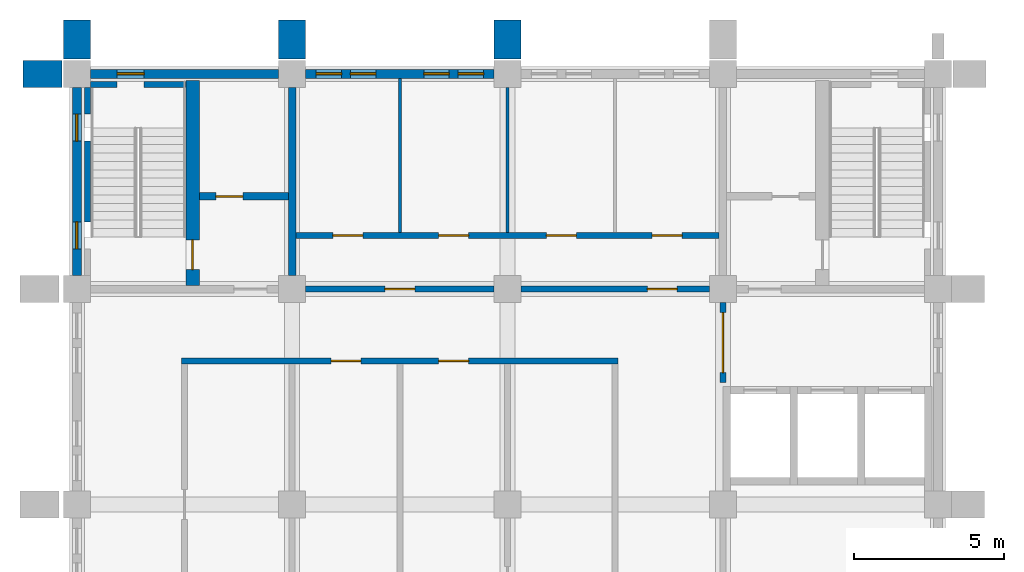
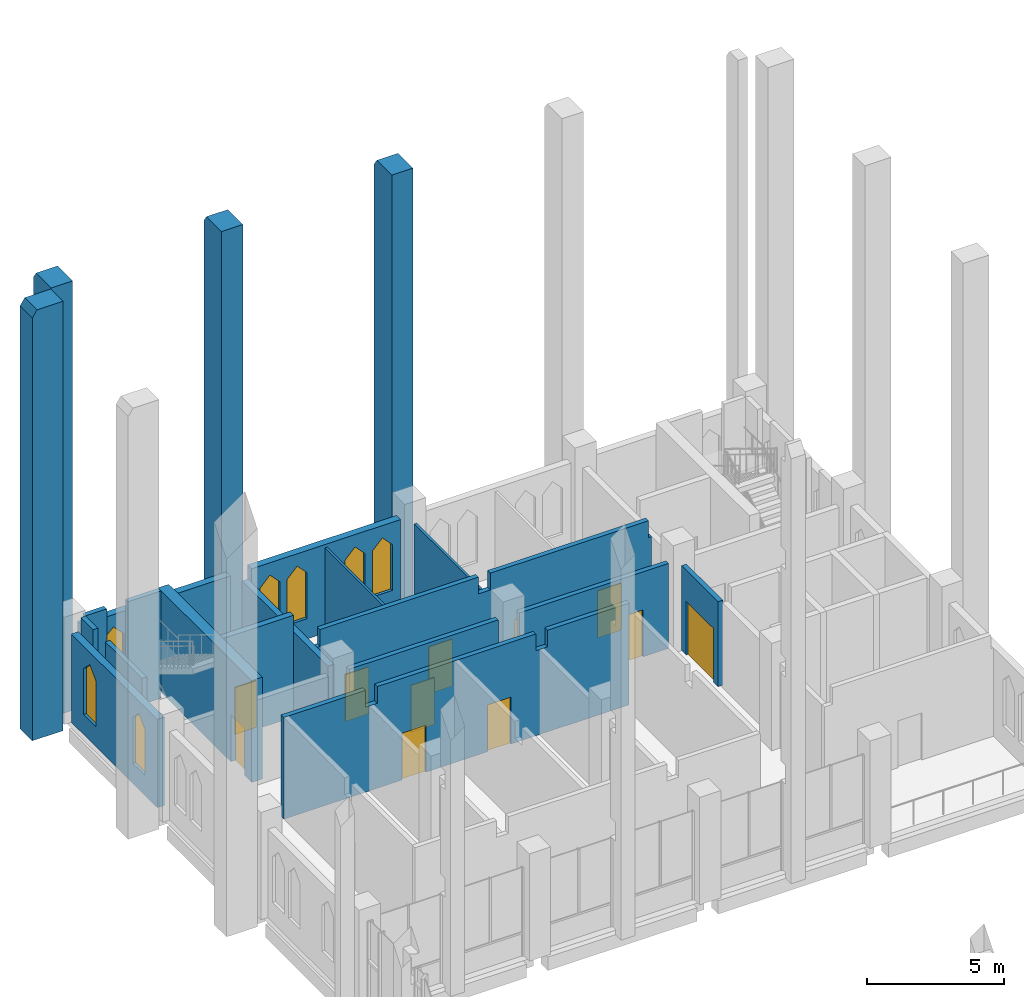
# One storey, part 32 of 40: 21 walls, 11 doors, 7 windows, 18 openings.
"""IFC4 building model written with IfcOpenShell, lengths in metres."""

from ifc_helpers import new_model, si_unit, direction, frame, frame_2d, origin, place, context, subcontext, project, spatial, polyline, rectangle, outline, extrude, material, layer, layer_set, type_object, element, fill, save


model = new_model("IFC4")

# Units and contexts
model_context = context("Model", 3, precision=1e-05, world=origin(), true_north=direction((0.0, 1.0)))
body_context = subcontext(model_context, "Body", "Model", "MODEL_VIEW")
ifc_project = project(units=[si_unit("LENGTHUNIT", "METRE"), si_unit("AREAUNIT", "SQUARE_METRE"), si_unit("VOLUMEUNIT", "CUBIC_METRE"), si_unit("PLANEANGLEUNIT", "RADIAN"), si_unit("MASSUNIT", "GRAM", prefix="KILO")], contexts=[model_context])

# Site, building, storey
site_placement = place(None, origin())
site = spatial("IfcSite", under=ifc_project, at=site_placement, CompositionType="ELEMENT")
building_placement = place(site_placement, origin())
building = spatial("IfcBuilding", under=site, at=building_placement, Name="Silangan Lancet Faculty of Sciences", CompositionType="ELEMENT")
storey_placement = place(building_placement, frame((0.0, 0.0, 21.60009765625)))
storey = spatial("IfcBuildingStorey", under=building, at=storey_placement, Name="L04", CompositionType="ELEMENT", Elevation=21.60009765625)

# Wall, openings, windows
ifc_material_1 = material(Name="Concrete C40/50 precast", Category="concrete")
ifc_layer_1 = layer(ifc_material_1, 0.300048828125)
ifc_layer_set_1 = layer_set([ifc_layer_1], Name="Concrete C40/50 precast")
wall_type_1 = type_object("IfcWallType", Name="EW1 Precast cladding wall", PredefinedType="STANDARD", material=ifc_layer_set_1)
wall_1_placement = place(storey_placement, frame((13.949951171875, 57.60009765625, 0.0), z_axis=(0.0, 0.0, 1.0), x_axis=(-1.0, 0.0, 0.0)))
wall_1 = element("IfcWall", 1, at=wall_1_placement, inside=storey, type_object=wall_type_1, Name="EW-L04-N-NT-02", PredefinedType="STANDARD", context=body_context, shape_type="SweptSolid", body=[
    extrude(rectangle(XDim=6.300048828125, YDim=0.300048828125, at=frame_2d((3.14990234375, 0.0))), origin(), (0.0, 0.0, 1.0), 3.949951171875),
])
opening_1_placement = place(wall_1_placement, frame((0.35009765625, 0.0, 0.89990234375)))
opening_1 = element("IfcOpeningElement", 2, at=opening_1_placement, cuts=wall_1, Name="Opening W14", PredefinedType="OPENING", context=body_context, shape_type="SweptSolid", body=[
    extrude(outline(polyline([(0.0, 0.0), (0.85009765625, 0.0), (0.85009765625, 2.050048828125), (0.425048828125, 2.5), (0.0, 2.050048828125), (0.0, 0.0)])), frame((0.0, 0.159912109375, 0.0), z_axis=(0.0, -1.0, 0.0), x_axis=(1.0, 0.0, 0.0)), (0.0, 0.0, 1.0), 0.320068359375),
])
opening_2_placement = place(wall_1_placement, frame((1.5, 0.0, 0.89990234375)))
opening_2 = element("IfcOpeningElement", 3, at=opening_2_placement, cuts=wall_1, Name="Opening W14", PredefinedType="OPENING", context=body_context, shape_type="SweptSolid", body=[
    extrude(outline(polyline([(0.0, 0.0), (0.85009765625, 0.0), (0.85009765625, 2.050048828125), (0.425048828125, 2.5), (0.0, 2.050048828125), (0.0, 0.0)])), frame((0.0, 0.159912109375, 0.0), z_axis=(0.0, -1.0, 0.0), x_axis=(1.0, 0.0, 0.0)), (0.0, 0.0, 1.0), 0.320068359375),
])
opening_3_placement = place(wall_1_placement, frame((3.949951171875, 0.0, 0.89990234375)))
opening_3 = element("IfcOpeningElement", 4, at=opening_3_placement, cuts=wall_1, Name="Opening W14", PredefinedType="OPENING", context=body_context, shape_type="SweptSolid", body=[
    extrude(outline(polyline([(0.0, 0.0), (0.85009765625, 0.0), (0.85009765625, 2.050048828125), (0.425048828125, 2.5), (0.0, 2.050048828125), (0.0, 0.0)])), frame((0.0, 0.159912109375, 0.0), z_axis=(0.0, -1.0, 0.0), x_axis=(1.0, 0.0, 0.0)), (0.0, 0.0, 1.0), 0.320068359375),
])
opening_4_placement = place(wall_1_placement, frame((5.10009765625, 0.0, 0.89990234375)))
opening_4 = element("IfcOpeningElement", 5, at=opening_4_placement, cuts=wall_1, Name="Opening W14", PredefinedType="OPENING", context=body_context, shape_type="SweptSolid", body=[
    extrude(outline(polyline([(0.0, 0.0), (0.85009765625, 0.0), (0.85009765625, 2.050048828125), (0.425048828125, 2.5), (0.0, 2.050048828125), (0.0, 0.0)])), frame((0.0, 0.159912109375, 0.0), z_axis=(0.0, -1.0, 0.0), x_axis=(1.0, 0.0, 0.0)), (0.0, 0.0, 1.0), 0.320068359375),
])
ifc_material_2 = material(Name="Aluminium frame, laminated double glazing", Category="aluminium")
window_type_1 = type_object("IfcWindowType", Name="W14 Lancet window 850 x 2500", PartitioningType="SINGLE_PANEL", PredefinedType="WINDOW", material=ifc_material_2)
window_1_placement = place(opening_1_placement, origin())
window_1 = element("IfcWindow", 6, at=window_1_placement, inside=storey, type_object=window_type_1, Name="WIN-L04-N-NT-02a1", OverallHeight=2.5, OverallWidth=0.85009765625, PartitioningType="SINGLE_PANEL", PredefinedType="WINDOW", context=body_context, shape_type="SweptSolid", body=[
    extrude(outline(polyline([(0.0, 0.0), (0.85009765625, 0.0), (0.85009765625, 2.050048828125), (0.425048828125, 2.5), (0.0, 2.050048828125), (0.0, 0.0)])), frame((0.0, 0.030029296875, 0.0), z_axis=(0.0, -1.0, 0.0), x_axis=(1.0, 0.0, 0.0)), (0.0, 0.0, 1.0), 0.06005859375),
])
fill(opening_1, window_1)
window_2_placement = place(opening_2_placement, origin())
window_2 = element("IfcWindow", 7, at=window_2_placement, inside=storey, type_object=window_type_1, Name="WIN-L04-N-NT-02a2", OverallHeight=2.5, OverallWidth=0.85009765625, PartitioningType="SINGLE_PANEL", PredefinedType="WINDOW", context=body_context, shape_type="SweptSolid", body=[
    extrude(outline(polyline([(0.0, 0.0), (0.85009765625, 0.0), (0.85009765625, 2.050048828125), (0.425048828125, 2.5), (0.0, 2.050048828125), (0.0, 0.0)])), frame((0.0, 0.030029296875, 0.0), z_axis=(0.0, -1.0, 0.0), x_axis=(1.0, 0.0, 0.0)), (0.0, 0.0, 1.0), 0.06005859375),
])
fill(opening_2, window_2)
window_3_placement = place(opening_3_placement, origin())
window_3 = element("IfcWindow", 8, at=window_3_placement, inside=storey, type_object=window_type_1, Name="WIN-L04-N-NT-02b1", OverallHeight=2.5, OverallWidth=0.85009765625, PartitioningType="SINGLE_PANEL", PredefinedType="WINDOW", context=body_context, shape_type="SweptSolid", body=[
    extrude(outline(polyline([(0.0, 0.0), (0.85009765625, 0.0), (0.85009765625, 2.050048828125), (0.425048828125, 2.5), (0.0, 2.050048828125), (0.0, 0.0)])), frame((0.0, 0.030029296875, 0.0), z_axis=(0.0, -1.0, 0.0), x_axis=(1.0, 0.0, 0.0)), (0.0, 0.0, 1.0), 0.06005859375),
])
fill(opening_3, window_3)
window_4_placement = place(opening_4_placement, origin())
window_4 = element("IfcWindow", 9, at=window_4_placement, inside=storey, type_object=window_type_1, Name="WIN-L04-N-NT-02b2", OverallHeight=2.5, OverallWidth=0.85009765625, PartitioningType="SINGLE_PANEL", PredefinedType="WINDOW", context=body_context, shape_type="SweptSolid", body=[
    extrude(outline(polyline([(0.0, 0.0), (0.85009765625, 0.0), (0.85009765625, 2.050048828125), (0.425048828125, 2.5), (0.0, 2.050048828125), (0.0, 0.0)])), frame((0.0, 0.030029296875, 0.0), z_axis=(0.0, -1.0, 0.0), x_axis=(1.0, 0.0, 0.0)), (0.0, 0.0, 1.0), 0.06005859375),
])
fill(opening_4, window_4)

ifc_material_3 = material(Name="Concrete C40/50 precast", Category="concrete")
ifc_layer_2 = layer(ifc_material_3, 0.300048828125)
ifc_layer_set_2 = layer_set([ifc_layer_2], Name="Concrete C40/50 precast")
wall_type_2 = type_object("IfcWallType", Name="EW2 Turret enclosure wall", PredefinedType="STANDARD", material=ifc_layer_set_2)
wall_2_placement = place(storey_placement, frame((0.0, 50.85009765625, 0.0), z_axis=(0.0, 0.0, 1.0), x_axis=(0.0, 1.0, 0.0)))
wall_2 = element("IfcWall", 10, at=wall_2_placement, inside=storey, type_object=wall_type_2, Name="EW-L04-W-NT-02", PredefinedType="STANDARD", context=body_context, shape_type="SweptSolid", body=[
    extrude(rectangle(XDim=6.2998046875, YDim=0.300048828125, at=frame_2d((3.14990234375, 0.0))), origin(), (0.0, 0.0, 1.0), 3.949951171875),
])
opening_5_placement = place(wall_2_placement, frame((0.89990234375, 0.0, 0.89990234375)))
opening_5 = element("IfcOpeningElement", 11, at=opening_5_placement, cuts=wall_2, Name="Opening W11", PredefinedType="OPENING", context=body_context, shape_type="SweptSolid", body=[
    extrude(outline(polyline([(0.0, 0.0), (0.89990234375, 0.0), (0.89990234375, 2.050048828125), (0.449951171875, 2.5), (0.0, 2.050048828125), (0.0, 0.0)])), frame((0.0, 0.159912109375, 0.0), z_axis=(0.0, -1.0, 0.0), x_axis=(1.0, 0.0, 0.0)), (0.0, 0.0, 1.0), 0.320068359375),
])
opening_6_placement = place(wall_2_placement, frame((4.5, 0.0, 0.89990234375)))
opening_6 = element("IfcOpeningElement", 12, at=opening_6_placement, cuts=wall_2, Name="Opening W11", PredefinedType="OPENING", context=body_context, shape_type="SweptSolid", body=[
    extrude(outline(polyline([(0.0, 0.0), (0.89990234375, 0.0), (0.89990234375, 2.050048828125), (0.449951171875, 2.5), (0.0, 2.050048828125), (0.0, 0.0)])), frame((0.0, 0.159912109375, 0.0), z_axis=(0.0, -1.0, 0.0), x_axis=(1.0, 0.0, 0.0)), (0.0, 0.0, 1.0), 0.320068359375),
])
ifc_material_4 = material(Name="Aluminium frame, laminated double glazing", Category="aluminium")
window_type_2 = type_object("IfcWindowType", Name="W11 Lancet window 900 x 2500", PartitioningType="SINGLE_PANEL", PredefinedType="WINDOW", material=ifc_material_4)
window_5_placement = place(opening_5_placement, origin())
window_5 = element("IfcWindow", 13, at=window_5_placement, inside=storey, type_object=window_type_2, Name="WIN-L04-W-NT-02a", OverallHeight=2.5, OverallWidth=0.89990234375, PartitioningType="SINGLE_PANEL", PredefinedType="WINDOW", context=body_context, shape_type="SweptSolid", body=[
    extrude(outline(polyline([(0.0, 0.0), (0.89990234375, 0.0), (0.89990234375, 2.050048828125), (0.449951171875, 2.5), (0.0, 2.050048828125), (0.0, 0.0)])), frame((0.0, 0.030029296875, 0.0), z_axis=(0.0, -1.0, 0.0), x_axis=(1.0, 0.0, 0.0)), (0.0, 0.0, 1.0), 0.06005859375),
])
fill(opening_5, window_5)
window_6_placement = place(opening_6_placement, origin())
window_6 = element("IfcWindow", 14, at=window_6_placement, inside=storey, type_object=window_type_2, Name="WIN-L04-W-NT-02b", OverallHeight=2.5, OverallWidth=0.89990234375, PartitioningType="SINGLE_PANEL", PredefinedType="WINDOW", context=body_context, shape_type="SweptSolid", body=[
    extrude(outline(polyline([(0.0, 0.0), (0.89990234375, 0.0), (0.89990234375, 2.050048828125), (0.449951171875, 2.5), (0.0, 2.050048828125), (0.0, 0.0)])), frame((0.0, 0.030029296875, 0.0), z_axis=(0.0, -1.0, 0.0), x_axis=(1.0, 0.0, 0.0)), (0.0, 0.0, 1.0), 0.06005859375),
])
fill(opening_6, window_6)

# Wall, opening, window
wall_3_placement = place(storey_placement, frame((6.75, 57.60009765625, 0.0), z_axis=(0.0, 0.0, 1.0), x_axis=(-1.0, 0.0, 0.0)))
wall_3 = element("IfcWall", 15, at=wall_3_placement, inside=storey, type_object=wall_type_2, Name="EW-L04-N-NT-03", PredefinedType="STANDARD", context=body_context, shape_type="SweptSolid", body=[
    extrude(rectangle(XDim=6.300048828125, YDim=0.300048828125, at=frame_2d((3.14990234375, 0.0))), origin(), (0.0, 0.0, 1.0), 3.949951171875),
])
opening_7_placement = place(wall_3_placement, frame((4.5, 0.0, 0.89990234375)))
opening_7 = element("IfcOpeningElement", 16, at=opening_7_placement, cuts=wall_3, Name="Opening W11", PredefinedType="OPENING", context=body_context, shape_type="SweptSolid", body=[
    extrude(outline(polyline([(0.0, 0.0), (0.89990234375, 0.0), (0.89990234375, 2.050048828125), (0.449951171875, 2.5), (0.0, 2.050048828125), (0.0, 0.0)])), frame((0.0, 0.159912109375, 0.0), z_axis=(0.0, -1.0, 0.0), x_axis=(1.0, 0.0, 0.0)), (0.0, 0.0, 1.0), 0.320068359375),
])
window_7_placement = place(opening_7_placement, origin())
window_7 = element("IfcWindow", 17, at=window_7_placement, inside=storey, type_object=window_type_2, Name="WIN-L04-N-NT-03b", OverallHeight=2.5, OverallWidth=0.89990234375, PartitioningType="SINGLE_PANEL", PredefinedType="WINDOW", context=body_context, shape_type="SweptSolid", body=[
    extrude(outline(polyline([(0.0, 0.0), (0.89990234375, 0.0), (0.89990234375, 2.050048828125), (0.449951171875, 2.5), (0.0, 2.050048828125), (0.0, 0.0)])), frame((0.0, 0.030029296875, 0.0), z_axis=(0.0, -1.0, 0.0), x_axis=(1.0, 0.0, 0.0)), (0.0, 0.0, 1.0), 0.06005859375),
])
fill(opening_7, window_7)

# Walls
ifc_material_5 = material(Name="Concrete C40/50 precast", Category="concrete")
ifc_layer_3 = layer(ifc_material_5, 0.89990234375)
ifc_layer_set_3 = layer_set([ifc_layer_3], Name="Concrete C40/50 precast")
wall_type_3 = type_object("IfcWallType", Name="FN29 Buttress Fin column line stage 2 19200", PredefinedType="POLYGONAL", material=ifc_layer_set_3)
for number, where, z_axis, x_axis, name in (
    (18, (-0.5, 57.60009765625, -0.25), (0.0, 0.0, 1.0), (-1.0, 0.0, 0.0), "FINC-W-NT-03-S2"),
    (19, (0.0, 58.10009765625, -0.25), (0.0, 0.0, 1.0), (0.0, 1.0, 0.0), "FINC-N-NT-01-S2"),
    (20, (7.199951171875, 58.10009765625, -0.25), (0.0, 0.0, 1.0), (0.0, 1.0, 0.0), "FINC-N-NT-02-S2"),
    (21, (14.39990234375, 58.10009765625, -0.25), (0.0, 0.0, 1.0), (0.0, 1.0, 0.0), "FINC-N-NT-03-S2"),
):
    element("IfcWall", number, at=place(storey_placement, frame(where, z_axis=z_axis, x_axis=x_axis)), inside=storey, type_object=wall_type_3, Name=name, PredefinedType="POLYGONAL", context=body_context, shape_type="SweptSolid", body=[
        extrude(outline(polyline([(1.300048828125, 0.0), (1.300048828125, 18.89990234375), (1.10009765625, 19.199951171875), (0.0, 19.199951171875), (0.0, 0.0), (1.300048828125, 0.0)])), frame((0.0, 0.449951171875, 0.0), z_axis=(0.0, -1.0, 0.0), x_axis=(1.0, 0.0, 0.0)), (0.0, 0.0, 1.0), 0.89990234375),
    ])

# Wall, openings, doors
ifc_material_6 = material(Name="Hollow block masonry fm 7 MPa", Category="masonry")
ifc_layer_4 = layer(ifc_material_6, 0.199951171875)
ifc_layer_set_4 = layer_set([ifc_layer_4], Name="Hollow block masonry fm 7 MPa")
wall_type_4 = type_object("IfcWallType", Name="Interior wall PW1 Corridor wall CHB 200", PredefinedType="PARTITIONING", material=ifc_layer_set_4)
wall_4_placement = place(storey_placement, frame((3.5, 48.0, 0.0), z_axis=(0.0, 0.0, 1.0), x_axis=(1.0, 0.0, 0.0)))
wall_4 = element("IfcWall", 22, at=wall_4_placement, inside=storey, type_object=wall_type_4, Name="Corridor wall CHB 200", PredefinedType="PARTITIONING", context=body_context, shape_type="SweptSolid", body=[
    extrude(outline(polyline([(0.0, 0.0), (14.60009765625, 0.0), (14.60009765625, 4.5498046875), (11.14990234375, 4.5498046875), (11.14990234375, 3.7998046875), (10.64990234375, 3.7998046875), (10.64990234375, 4.5498046875), (3.949951171875, 4.5498046875), (3.949951171875, 3.7998046875), (3.449951171875, 3.7998046875), (3.449951171875, 4.5498046875), (0.0, 4.5498046875), (0.0, 0.0)])), frame((0.0, 0.10009765625, 0.0), z_axis=(0.0, -1.0, 0.0), x_axis=(1.0, 0.0, 0.0)), (0.0, 0.0, 1.0), 0.199951171875),
])
opening_8_placement = place(wall_4_placement, frame((5.0, 0.0, 0.0)))
opening_8 = element("IfcOpeningElement", 23, at=opening_8_placement, cuts=wall_4, Name="Opening L04-026", PredefinedType="OPENING", context=body_context, shape_type="SweptSolid", body=[
    extrude(rectangle(XDim=1.0, YDim=2.10009765625, at=frame_2d((0.5, 1.050048828125))), frame((0.0, 0.10986328125, 0.0), z_axis=(0.0, -1.0, 0.0), x_axis=(1.0, 0.0, 0.0)), (0.0, 0.0, 1.0), 0.219970703125),
])
opening_9_placement = place(wall_4_placement, frame((8.60009765625, 0.0, 0.0)))
opening_9 = element("IfcOpeningElement", 24, at=opening_9_placement, cuts=wall_4, Name="Opening L04-027", PredefinedType="OPENING", context=body_context, shape_type="SweptSolid", body=[
    extrude(rectangle(XDim=1.0, YDim=2.10009765625, at=frame_2d((0.5, 1.050048828125))), frame((0.0, 0.10986328125, 0.0), z_axis=(0.0, -1.0, 0.0), x_axis=(1.0, 0.0, 0.0)), (0.0, 0.0, 1.0), 0.219970703125),
])
ifc_material_7 = material(Name="Steel fire door set", Category="steel")
door_type_1 = type_object("IfcDoorType", Name="Door D1 Single leaf fire door 1000 x 2100", OperationType="SINGLE_SWING_LEFT", PredefinedType="DOOR", material=ifc_material_7)
door_1_placement = place(opening_8_placement, frame((1.0, 0.0, 0.0), z_axis=(0.0, 0.0, 1.0), x_axis=(-1.0, 0.0, 0.0)))
door_1 = element("IfcDoor", 25, at=door_1_placement, inside=storey, type_object=door_type_1, Name="Single leaf fire door 1000 x 2100", OperationType="SINGLE_SWING_LEFT", OverallHeight=2.10009765625, OverallWidth=1.0, PredefinedType="DOOR", context=body_context, shape_type="SweptSolid", body=[
    extrude(rectangle(XDim=1.0, YDim=2.10009765625, at=frame_2d((0.5, 1.050048828125))), frame((0.0, 0.025146484375, 0.0), z_axis=(0.0, -1.0, 0.0), x_axis=(1.0, 0.0, 0.0)), (0.0, 0.0, 1.0), 0.050048828125),
])
fill(opening_8, door_1)
door_2_placement = place(opening_9_placement, frame((1.0, 0.0, 0.0), z_axis=(0.0, 0.0, 1.0), x_axis=(-1.0, 0.0, 0.0)))
door_2 = element("IfcDoor", 26, at=door_2_placement, inside=storey, type_object=door_type_1, Name="Single leaf fire door 1000 x 2100", OperationType="SINGLE_SWING_RIGHT", OverallHeight=2.10009765625, OverallWidth=1.0, PredefinedType="DOOR", context=body_context, shape_type="SweptSolid", body=[
    extrude(rectangle(XDim=1.0, YDim=2.10009765625, at=frame_2d((0.5, 1.050048828125))), frame((0.0, 0.025146484375, 0.0), z_axis=(0.0, -1.0, 0.0), x_axis=(1.0, 0.0, 0.0)), (0.0, 0.0, 1.0), 0.050048828125),
])
fill(opening_9, door_2)

# Wall, opening, door
wall_5_placement = place(storey_placement, frame((7.64990234375, 50.39990234375, 0.0), z_axis=(0.0, 0.0, 1.0), x_axis=(1.0, 0.0, 0.0)))
wall_5 = element("IfcWall", 27, at=wall_5_placement, inside=storey, type_object=wall_type_4, Name="Corridor wall CHB 200", PredefinedType="PARTITIONING", context=body_context, shape_type="SweptSolid", body=[
    extrude(rectangle(XDim=6.300048828125, YDim=0.199951171875, at=frame_2d((3.14990234375, 0.0))), origin(), (0.0, 0.0, 1.0), 3.7998046875),
])
opening_10_placement = place(wall_5_placement, frame((2.64990234375, 0.0, 0.0)))
opening_10 = element("IfcOpeningElement", 28, at=opening_10_placement, cuts=wall_5, Name="Opening L04-005", PredefinedType="OPENING", context=body_context, shape_type="SweptSolid", body=[
    extrude(rectangle(XDim=1.0, YDim=2.10009765625, at=frame_2d((0.5, 1.050048828125))), frame((0.0, 0.10986328125, 0.0), z_axis=(0.0, -1.0, 0.0), x_axis=(1.0, 0.0, 0.0)), (0.0, 0.0, 1.0), 0.219970703125),
])
door_3_placement = place(opening_10_placement, origin())
door_3 = element("IfcDoor", 29, at=door_3_placement, inside=storey, type_object=door_type_1, Name="Single leaf fire door 1000 x 2100", OperationType="SINGLE_SWING_RIGHT", OverallHeight=2.10009765625, OverallWidth=1.0, PredefinedType="DOOR", context=body_context, shape_type="SweptSolid", body=[
    extrude(rectangle(XDim=1.0, YDim=2.10009765625, at=frame_2d((0.5, 1.050048828125))), frame((0.0, 0.02490234375, 0.0), z_axis=(0.0, -1.0, 0.0), x_axis=(1.0, 0.0, 0.0)), (0.0, 0.0, 1.0), 0.050048828125),
])
fill(opening_10, door_3)

wall_6_placement = place(storey_placement, frame((14.85009765625, 50.39990234375, 0.0), z_axis=(0.0, 0.0, 1.0), x_axis=(1.0, 0.0, 0.0)))
wall_6 = element("IfcWall", 30, at=wall_6_placement, inside=storey, type_object=wall_type_4, Name="Corridor wall CHB 200", PredefinedType="PARTITIONING", context=body_context, shape_type="SweptSolid", body=[
    extrude(rectangle(XDim=6.2998046875, YDim=0.199951171875, at=frame_2d((3.14990234375, 0.0))), origin(), (0.0, 0.0, 1.0), 3.7998046875),
])
opening_11_placement = place(wall_6_placement, frame((4.224853515625, 0.0, 0.0)))
opening_11 = element("IfcOpeningElement", 31, at=opening_11_placement, cuts=wall_6, Name="Opening L04-006", PredefinedType="OPENING", context=body_context, shape_type="SweptSolid", body=[
    extrude(rectangle(XDim=1.0, YDim=2.10009765625, at=frame_2d((0.5, 1.050048828125))), frame((0.0, 0.10986328125, 0.0), z_axis=(0.0, -1.0, 0.0), x_axis=(1.0, 0.0, 0.0)), (0.0, 0.0, 1.0), 0.219970703125),
])
door_4_placement = place(opening_11_placement, origin())
door_4 = element("IfcDoor", 32, at=door_4_placement, inside=storey, type_object=door_type_1, Name="Single leaf fire door 1000 x 2100", OperationType="SINGLE_SWING_LEFT", OverallHeight=2.10009765625, OverallWidth=1.0, PredefinedType="DOOR", context=body_context, shape_type="SweptSolid", body=[
    extrude(rectangle(XDim=1.0, YDim=2.10009765625, at=frame_2d((0.5, 1.050048828125))), frame((0.0, 0.02490234375, 0.0), z_axis=(0.0, -1.0, 0.0), x_axis=(1.0, 0.0, 0.0)), (0.0, 0.0, 1.0), 0.050048828125),
])
fill(opening_11, door_4)

# Wall, openings, doors
wall_7_placement = place(storey_placement, frame((7.324951171875, 52.199951171875, 0.0), z_axis=(0.0, 0.0, 1.0), x_axis=(1.0, 0.0, 0.0)))
wall_7 = element("IfcWall", 33, at=wall_7_placement, inside=storey, type_object=wall_type_4, Name="Corridor wall CHB 200", PredefinedType="PARTITIONING", context=body_context, shape_type="SweptSolid", body=[
    extrude(outline(polyline([(0.0, 0.0), (14.150146484375, 0.0), (14.150146484375, 3.7998046875), (14.02490234375, 3.7998046875), (14.02490234375, 4.5498046875), (7.324951171875, 4.5498046875), (7.324951171875, 3.7998046875), (6.824951171875, 3.7998046875), (6.824951171875, 4.5498046875), (0.125, 4.5498046875), (0.125, 3.7998046875), (0.0, 3.7998046875), (0.0, 0.0)])), frame((0.0, 0.10009765625, 0.0), z_axis=(0.0, -1.0, 0.0), x_axis=(1.0, 0.0, 0.0)), (0.0, 0.0, 1.0), 0.199951171875),
])
opening_12_placement = place(wall_7_placement, frame((1.237548828125, 0.0, 0.0)))
opening_12 = element("IfcOpeningElement", 34, at=opening_12_placement, cuts=wall_7, Name="Opening L04-021", PredefinedType="OPENING", context=body_context, shape_type="SweptSolid", body=[
    extrude(rectangle(XDim=1.0, YDim=2.10009765625, at=frame_2d((0.5, 1.050048828125))), frame((0.0, 0.10986328125, 0.0), z_axis=(0.0, -1.0, 0.0), x_axis=(1.0, 0.0, 0.0)), (0.0, 0.0, 1.0), 0.219970703125),
])
opening_13_placement = place(wall_7_placement, frame((4.77490234375, 0.0, 0.0)))
opening_13 = element("IfcOpeningElement", 35, at=opening_13_placement, cuts=wall_7, Name="Opening L04-022", PredefinedType="OPENING", context=body_context, shape_type="SweptSolid", body=[
    extrude(rectangle(XDim=1.0, YDim=2.10009765625, at=frame_2d((0.5, 1.050048828125))), frame((0.0, 0.10986328125, 0.0), z_axis=(0.0, -1.0, 0.0), x_axis=(1.0, 0.0, 0.0)), (0.0, 0.0, 1.0), 0.219970703125),
])
opening_14_placement = place(wall_7_placement, frame((8.375, 0.0, 0.0)))
opening_14 = element("IfcOpeningElement", 36, at=opening_14_placement, cuts=wall_7, Name="Opening L04-023", PredefinedType="OPENING", context=body_context, shape_type="SweptSolid", body=[
    extrude(rectangle(XDim=1.0, YDim=2.10009765625, at=frame_2d((0.5, 1.050048828125))), frame((0.0, 0.10986328125, 0.0), z_axis=(0.0, -1.0, 0.0), x_axis=(1.0, 0.0, 0.0)), (0.0, 0.0, 1.0), 0.219970703125),
])
opening_15_placement = place(wall_7_placement, frame((11.91259765625, 0.0, 0.0)))
opening_15 = element("IfcOpeningElement", 37, at=opening_15_placement, cuts=wall_7, Name="Opening L04-024", PredefinedType="OPENING", context=body_context, shape_type="SweptSolid", body=[
    extrude(rectangle(XDim=1.0, YDim=2.10009765625, at=frame_2d((0.5, 1.050048828125))), frame((0.0, 0.10986328125, 0.0), z_axis=(0.0, -1.0, 0.0), x_axis=(1.0, 0.0, 0.0)), (0.0, 0.0, 1.0), 0.219970703125),
])
door_5_placement = place(opening_12_placement, origin())
door_5 = element("IfcDoor", 38, at=door_5_placement, inside=storey, type_object=door_type_1, Name="Single leaf fire door 1000 x 2100", OperationType="SINGLE_SWING_LEFT", OverallHeight=2.10009765625, OverallWidth=1.0, PredefinedType="DOOR", context=body_context, shape_type="SweptSolid", body=[
    extrude(rectangle(XDim=1.0, YDim=2.10009765625, at=frame_2d((0.5, 1.050048828125))), frame((0.0, 0.02490234375, 0.0), z_axis=(0.0, -1.0, 0.0), x_axis=(1.0, 0.0, 0.0)), (0.0, 0.0, 1.0), 0.050048828125),
])
fill(opening_12, door_5)
door_6_placement = place(opening_13_placement, origin())
door_6 = element("IfcDoor", 39, at=door_6_placement, inside=storey, type_object=door_type_1, Name="Single leaf fire door 1000 x 2100", OperationType="SINGLE_SWING_RIGHT", OverallHeight=2.10009765625, OverallWidth=1.0, PredefinedType="DOOR", context=body_context, shape_type="SweptSolid", body=[
    extrude(rectangle(XDim=1.0, YDim=2.10009765625, at=frame_2d((0.5, 1.050048828125))), frame((0.0, 0.02490234375, 0.0), z_axis=(0.0, -1.0, 0.0), x_axis=(1.0, 0.0, 0.0)), (0.0, 0.0, 1.0), 0.050048828125),
])
fill(opening_13, door_6)
door_7_placement = place(opening_14_placement, origin())
door_7 = element("IfcDoor", 40, at=door_7_placement, inside=storey, type_object=door_type_1, Name="Single leaf fire door 1000 x 2100", OperationType="SINGLE_SWING_LEFT", OverallHeight=2.10009765625, OverallWidth=1.0, PredefinedType="DOOR", context=body_context, shape_type="SweptSolid", body=[
    extrude(rectangle(XDim=1.0, YDim=2.10009765625, at=frame_2d((0.5, 1.050048828125))), frame((0.0, 0.02490234375, 0.0), z_axis=(0.0, -1.0, 0.0), x_axis=(1.0, 0.0, 0.0)), (0.0, 0.0, 1.0), 0.050048828125),
])
fill(opening_14, door_7)
door_8_placement = place(opening_15_placement, origin())
door_8 = element("IfcDoor", 41, at=door_8_placement, inside=storey, type_object=door_type_1, Name="Single leaf fire door 1000 x 2100", OperationType="SINGLE_SWING_RIGHT", OverallHeight=2.10009765625, OverallWidth=1.0, PredefinedType="DOOR", context=body_context, shape_type="SweptSolid", body=[
    extrude(rectangle(XDim=1.0, YDim=2.10009765625, at=frame_2d((0.5, 1.050048828125))), frame((0.0, 0.02490234375, 0.0), z_axis=(0.0, -1.0, 0.0), x_axis=(1.0, 0.0, 0.0)), (0.0, 0.0, 1.0), 0.050048828125),
])
fill(opening_15, door_8)

# Walls
ifc_material_8 = material(Name="Hollow block masonry fm 7 MPa", Category="masonry")
ifc_layer_5 = layer(ifc_material_8, 0.10009765625)
ifc_layer_set_5 = layer_set([ifc_layer_5], Name="Hollow block masonry fm 7 MPa")
wall_type_5 = type_object("IfcWallType", Name="Interior wall PW8 WC partition CHB 100", PredefinedType="PARTITIONING", material=ifc_layer_set_5)
wall_8_placement = place(storey_placement, frame((10.800048828125, 52.300048828125, 0.0), z_axis=(0.0, 0.0, 1.0), x_axis=(0.0, 1.0, 0.0)))
element("IfcWall", 42, at=wall_8_placement, inside=storey, type_object=wall_type_5, Name="WC partition CHB 100", PredefinedType="PARTITIONING", context=body_context, shape_type="SweptSolid", body=[
    extrude(rectangle(XDim=5.14990234375, YDim=0.10009765625, at=frame_2d((2.574951171875, 0.0))), origin(), (0.0, 0.0, 1.0), 3.7998046875),
])
wall_9_placement = place(storey_placement, frame((14.39990234375, 52.300048828125, 0.0), z_axis=(0.0, 0.0, 1.0), x_axis=(0.0, 1.0, 0.0)))
element("IfcWall", 43, at=wall_9_placement, inside=storey, type_object=wall_type_5, Name="WC partition CHB 100", PredefinedType="PARTITIONING", context=body_context, shape_type="SweptSolid", body=[
    extrude(rectangle(XDim=4.849853515625, YDim=0.10009765625, at=frame_2d((2.4248046875, 0.0))), origin(), (0.0, 0.0, 1.0), 3.7998046875),
])

# Wall, opening, door
ifc_material_9 = material(Name="Hollow block masonry fm 7 MPa", Category="masonry")
ifc_layer_6 = layer(ifc_material_9, 0.199951171875)
ifc_layer_set_6 = layer_set([ifc_layer_6], Name="Hollow block masonry fm 7 MPa")
wall_type_6 = type_object("IfcWallType", Name="Interior wall PW9 Lift lobby wall CHB 200", PredefinedType="PARTITIONING", material=ifc_layer_set_6)
wall_10_placement = place(storey_placement, frame((21.60009765625, 47.27490234375, 0.0), z_axis=(0.0, 0.0, 1.0), x_axis=(0.0, 1.0, 0.0)))
wall_10 = element("IfcWall", 44, at=wall_10_placement, inside=storey, type_object=wall_type_6, Name="Lift lobby wall CHB 200", PredefinedType="PARTITIONING", context=body_context, shape_type="SweptSolid", body=[
    extrude(rectangle(XDim=2.675048828125, YDim=0.199951171875, at=frame_2d((1.33740234375, 0.0))), origin(), (0.0, 0.0, 1.0), 3.7998046875),
])
opening_16_placement = place(wall_10_placement, frame((0.33740234375, 0.0, 0.0)))
opening_16 = element("IfcOpeningElement", 45, at=opening_16_placement, cuts=wall_10, Name="Opening L04-004", PredefinedType="OPENING", context=body_context, shape_type="SweptSolid", body=[
    extrude(rectangle(XDim=2.0, YDim=2.39990234375, at=frame_2d((1.0, 1.199951171875))), frame((0.0, 0.10986328125, 0.0), z_axis=(0.0, -1.0, 0.0), x_axis=(1.0, 0.0, 0.0)), (0.0, 0.0, 1.0), 0.219970703125),
])
ifc_material_10 = material(Name="Steel fire door set", Category="steel")
door_type_2 = type_object("IfcDoorType", Name="Door D5 Lift lobby double fire door 2000 x 2400", OperationType="DOUBLE_DOOR_SINGLE_SWING", PredefinedType="DOOR", material=ifc_material_10)
door_9_placement = place(opening_16_placement, origin())
door_9 = element("IfcDoor", 46, at=door_9_placement, inside=storey, type_object=door_type_2, Name="Lift lobby double fire door 2000 x 2400", OperationType="DOUBLE_DOOR_SINGLE_SWING", OverallHeight=2.39990234375, OverallWidth=2.0, PredefinedType="DOOR", context=body_context, shape_type="SweptSolid", body=[
    extrude(rectangle(XDim=2.0, YDim=2.39990234375, at=frame_2d((1.0, 1.199951171875))), frame((0.0, 0.02490234375, 0.0), z_axis=(0.0, -1.0, 0.0), x_axis=(1.0, 0.0, 0.0)), (0.0, 0.0, 1.0), 0.050048828125),
])
fill(opening_16, door_9)

ifc_material_11 = material(Name="Concrete C40/50", Category="concrete")
ifc_layer_7 = layer(ifc_material_11, 0.449951171875)
ifc_layer_set_7 = layer_set([ifc_layer_7], Name="Concrete C40/50")
wall_type_7 = type_object("IfcWallType", Name="TURRET CORE WALL RC 450", PredefinedType="SHEAR", material=ifc_layer_set_7)
wall_11_placement = place(storey_placement, frame((3.875, 50.52490234375, 0.0), z_axis=(0.0, 0.0, 1.0), x_axis=(0.0, 1.0, 0.0)))
wall_11 = element("IfcWall", 47, at=wall_11_placement, inside=storey, type_object=wall_type_7, Name="WALL-L04-NT-A-WELL", PredefinedType="SHEAR", context=body_context, shape_type="SweptSolid", body=[
    extrude(rectangle(XDim=6.85009765625, YDim=0.449951171875, at=frame_2d((3.425048828125, 0.0))), origin(), (0.0, 0.0, 1.0), 4.5498046875),
])
opening_17_placement = place(wall_11_placement, frame((0.52490234375, 0.0, 0.0)))
opening_17 = element("IfcOpeningElement", 48, at=opening_17_placement, cuts=wall_11, Name="Opening L04-707", PredefinedType="OPENING", context=body_context, shape_type="SweptSolid", body=[
    extrude(rectangle(XDim=1.0, YDim=2.10009765625, at=frame_2d((0.5, 1.050048828125))), frame((0.0, 0.23486328125, 0.0), z_axis=(0.0, -1.0, 0.0), x_axis=(1.0, 0.0, 0.0)), (0.0, 0.0, 1.0), 0.469970703125),
])
ifc_material_12 = material(Name="Steel fire door set", Category="steel")
door_type_3 = type_object("IfcDoorType", Name="D71 Stair enclosure door 1000x2100", OperationType="SINGLE_SWING_LEFT", PredefinedType="DOOR", material=ifc_material_12)
door_10_placement = place(opening_17_placement, origin())
door_10 = element("IfcDoor", 49, at=door_10_placement, inside=storey, type_object=door_type_3, Name="Stair enclosure door NT-A L04", OperationType="SINGLE_SWING_LEFT", OverallHeight=2.10009765625, OverallWidth=1.0, PredefinedType="DOOR", context=body_context, shape_type="SweptSolid", body=[
    extrude(rectangle(XDim=1.0, YDim=2.10009765625, at=frame_2d((0.5, 1.050048828125))), frame((0.0, 0.02490234375, 0.0), z_axis=(0.0, -1.0, 0.0), x_axis=(1.0, 0.0, 0.0)), (0.0, 0.0, 1.0), 0.050048828125),
])
fill(opening_17, door_10)

# Walls
ifc_material_13 = material(Name="Concrete C40/50", Category="concrete")
ifc_layer_8 = layer(ifc_material_13, 0.199951171875)
ifc_layer_set_8 = layer_set([ifc_layer_8], Name="Concrete C40/50")
wall_type_8 = type_object("IfcWallType", Name="TURRET LINING WALL RC 200", PredefinedType="SHEAR", material=ifc_layer_set_8)
wall_12_placement = place(storey_placement, frame((0.35009765625, 52.64990234375, -0.25), z_axis=(0.0, 0.0, 1.0), x_axis=(0.0, 1.0, 0.0)))
element("IfcWall", 50, at=wall_12_placement, inside=storey, type_object=wall_type_8, Name="WALL-L04-NT-A-WL-2", PredefinedType="SHEAR", context=body_context, shape_type="SweptSolid", body=[
    extrude(rectangle(XDim=2.7001953125, YDim=0.199951171875, at=frame_2d((1.35009765625, 0.0))), origin(), (0.0, 0.0, 1.0), 4.7998046875),
])
wall_13_placement = place(storey_placement, frame((0.35009765625, 56.25, -0.25), z_axis=(0.0, 0.0, 1.0), x_axis=(0.0, 1.0, 0.0)))
element("IfcWall", 51, at=wall_13_placement, inside=storey, type_object=wall_type_8, Name="WALL-L04-NT-A-WL-3", PredefinedType="SHEAR", context=body_context, shape_type="SweptSolid", body=[
    extrude(rectangle(XDim=0.89990234375, YDim=0.199951171875, at=frame_2d((0.449951171875, 0.0))), origin(), (0.0, 0.0, 1.0), 4.7998046875),
])
wall_14_placement = place(storey_placement, frame((0.449951171875, 57.25, -0.25), z_axis=(0.0, 0.0, 1.0), x_axis=(1.0, 0.0, 0.0)))
element("IfcWall", 52, at=wall_14_placement, inside=storey, type_object=wall_type_8, Name="WALL-L04-NT-A-WLD", PredefinedType="SHEAR", context=body_context, shape_type="SweptSolid", body=[
    extrude(rectangle(XDim=0.900146484375, YDim=0.199951171875, at=frame_2d((0.4501953125, 0.0))), origin(), (0.0, 0.0, 1.0), 4.7998046875),
])
wall_15_placement = place(storey_placement, frame((2.25, 57.25, -0.25), z_axis=(0.0, 0.0, 1.0), x_axis=(1.0, 0.0, 0.0)))
element("IfcWall", 53, at=wall_15_placement, inside=storey, type_object=wall_type_8, Name="WALL-L04-NT-A-WLD-2", PredefinedType="SHEAR", context=body_context, shape_type="SweptSolid", body=[
    extrude(rectangle(XDim=1.39990234375, YDim=0.199951171875, at=frame_2d((0.699951171875, 0.0))), origin(), (0.0, 0.0, 1.0), 4.7998046875),
])
ifc_material_14 = material(Name="Concrete C40/50", Category="concrete")
ifc_layer_9 = layer(ifc_material_14, 0.25)
ifc_layer_set_9 = layer_set([ifc_layer_9], Name="Concrete C40/50")
wall_type_9 = type_object("IfcWallType", Name="TURRET WALL RC 250", PredefinedType="SHEAR", material=ifc_layer_set_9)
wall_16_placement = place(storey_placement, frame((7.199951171875, 50.85009765625, 0.0), z_axis=(0.0, 0.0, 1.0), x_axis=(0.0, 1.0, 0.0)))
element("IfcWall", 54, at=wall_16_placement, inside=storey, type_object=wall_type_9, Name="WALL-L04-NT-A-O", PredefinedType="SHEAR", context=body_context, shape_type="SweptSolid", body=[
    extrude(rectangle(XDim=6.2998046875, YDim=0.25, at=frame_2d((3.14990234375, 0.0))), origin(), (0.0, 0.0, 1.0), 3.7998046875),
])

# Wall, opening, door
wall_17_placement = place(storey_placement, frame((4.10009765625, 53.5, 0.0), z_axis=(0.0, 0.0, 1.0), x_axis=(1.0, 0.0, 0.0)))
wall_17 = element("IfcWall", 55, at=wall_17_placement, inside=storey, type_object=wall_type_9, Name="WALL-L04-NT-A-RISER", PredefinedType="SHEAR", context=body_context, shape_type="SweptSolid", body=[
    extrude(rectangle(XDim=2.974853515625, YDim=0.25, at=frame_2d((1.4873046875, 0.0))), origin(), (0.0, 0.0, 1.0), 4.5498046875),
])
opening_18_placement = place(wall_17_placement, frame((0.550048828125, 0.0, 0.0)))
opening_18 = element("IfcOpeningElement", 56, at=opening_18_placement, cuts=wall_17, Name="Opening L04-709", PredefinedType="OPENING", context=body_context, shape_type="SweptSolid", body=[
    extrude(rectangle(XDim=0.89990234375, YDim=2.10009765625, at=frame_2d((0.449951171875, 1.050048828125))), frame((0.0, 0.135009765625, 0.0), z_axis=(0.0, -1.0, 0.0), x_axis=(1.0, 0.0, 0.0)), (0.0, 0.0, 1.0), 0.27001953125),
])
ifc_material_15 = material(Name="Steel fire door set", Category="steel")
door_type_4 = type_object("IfcDoorType", Name="D72 Riser access door 900x2100", OperationType="SINGLE_SWING_LEFT", PredefinedType="DOOR", material=ifc_material_15)
door_11_placement = place(opening_18_placement, origin())
door_11 = element("IfcDoor", 57, at=door_11_placement, inside=storey, type_object=door_type_4, Name="Riser access door NT-A L04", OperationType="SINGLE_SWING_RIGHT", OverallHeight=2.10009765625, OverallWidth=0.89990234375, PredefinedType="DOOR", context=body_context, shape_type="SweptSolid", body=[
    extrude(rectangle(XDim=0.89990234375, YDim=2.10009765625, at=frame_2d((0.449951171875, 1.050048828125))), frame((0.0, 0.02490234375, 0.0), z_axis=(0.0, -1.0, 0.0), x_axis=(1.0, 0.0, 0.0)), (0.0, 0.0, 1.0), 0.050048828125),
])
fill(opening_18, door_11)

save(model, "model.ifc")
